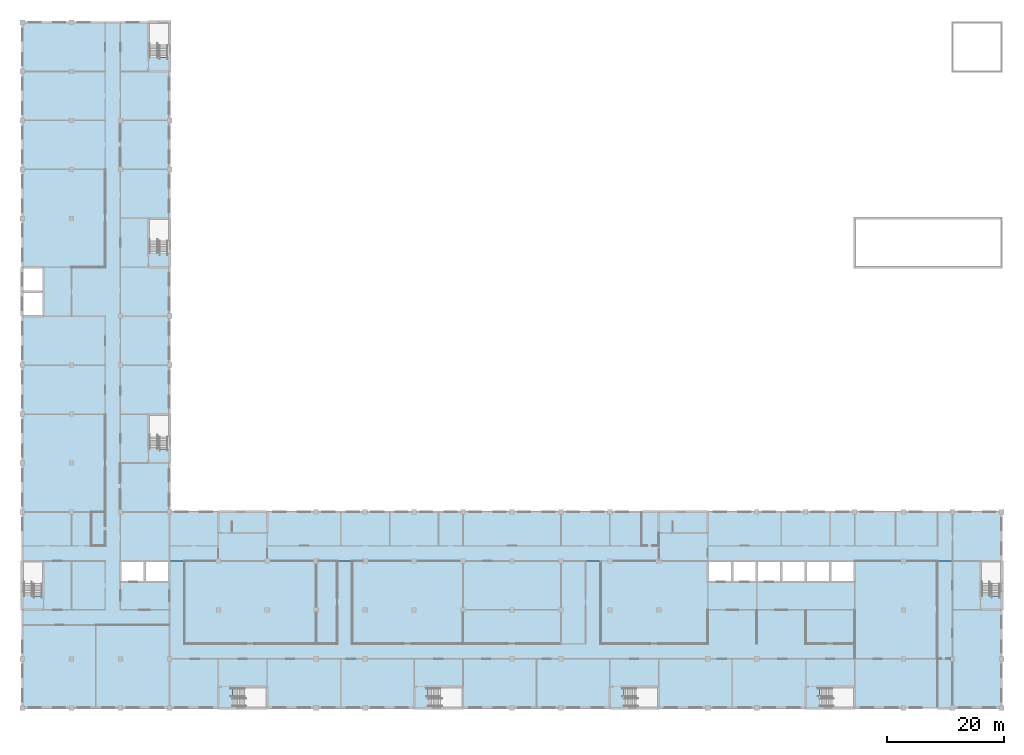
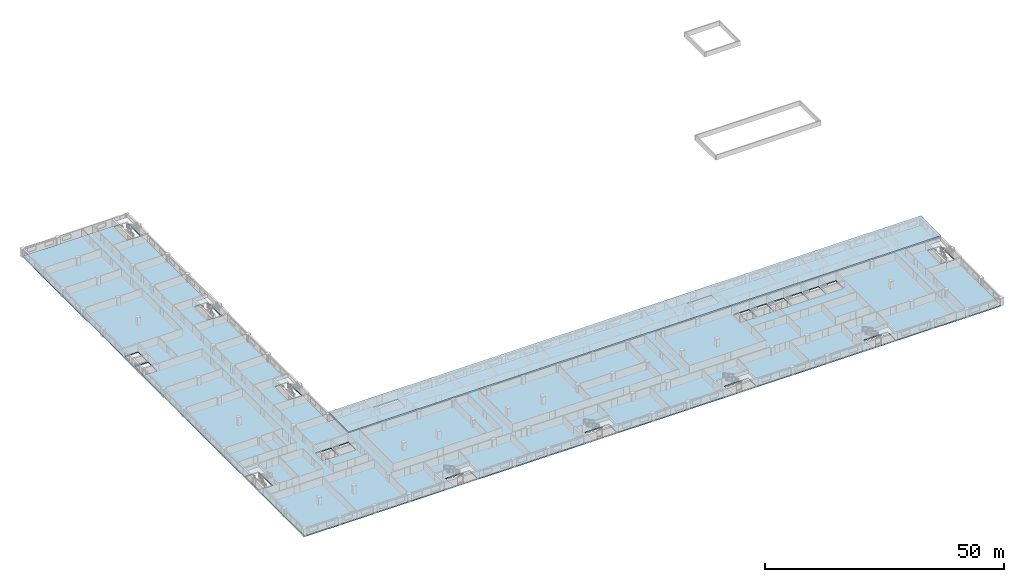
# One storey, part 25 of 48: 2 slabs.
"""IFC4 building model written with IfcOpenShell, lengths in metres."""

from ifc_helpers import new_model, si_unit, direction, frame, origin, place, context, subcontext, project, spatial, polyline, outline, extrude, material, layer, layer_set, type_object, element, save


model = new_model("IFC4")

# Units and contexts
model_context = context("Model", 3, precision=1e-05, world=origin(), true_north=direction((0.0, 1.0)))
body_context = subcontext(model_context, "Body", "Model", "MODEL_VIEW")
ifc_project = project(units=[si_unit("LENGTHUNIT", "METRE"), si_unit("AREAUNIT", "SQUARE_METRE"), si_unit("VOLUMEUNIT", "CUBIC_METRE"), si_unit("PLANEANGLEUNIT", "RADIAN"), si_unit("MASSUNIT", "GRAM", prefix="KILO")], contexts=[model_context])

# Site, building, storey
site_placement = place(None, origin())
site = spatial("IfcSite", under=ifc_project, at=site_placement, CompositionType="ELEMENT")
building_placement = place(site_placement, origin())
building = spatial("IfcBuilding", under=site, at=building_placement, Name="Yavir Park General Hospital", CompositionType="ELEMENT")
storey_placement = place(building_placement, frame((0.0, 0.0, 12.89990234375)))
storey = spatial("IfcBuildingStorey", under=building, at=storey_placement, Name="I02", CompositionType="ELEMENT", Elevation=12.89990234375)

# Slabs
ifc_material_1 = material(Name="Concrete C35/45", Category="concrete")
ifc_layer_1 = layer(ifc_material_1, 0.300048828125)
ifc_layer_set_1 = layer_set([ifc_layer_1], Name="Concrete C35/45")
slab_type_1 = type_object("IfcSlabType", Name="RC SLAB FLOOR 300", PredefinedType="FLOOR", material=ifc_layer_set_1)
slab_1_placement = place(storey_placement, frame((0.0, 0.0, -0.300048828125)))
element("IfcSlab", 1, at=slab_1_placement, inside=storey, type_object=slab_type_1, Name="S:I02:0", PredefinedType="FLOOR", context=body_context, shape_type="SweptSolid", body=[
    extrude(outline(polyline([(168.0, 33.60009765625), (25.199951171875, 33.60009765625), (25.199951171875, 117.60009765625), (0.0, 117.60009765625), (0.0, 0.0), (168.0, 0.0), (168.0, 33.60009765625)]), holes=[polyline([(17.0, 25.0), (20.800048828125, 25.0), (20.800048828125, 21.800048828125), (17.0, 21.800048828125), (17.0, 25.0)]), polyline([(21.199951171875, 25.0), (25.0, 25.0), (25.0, 21.800048828125), (21.199951171875, 21.800048828125), (21.199951171875, 25.0)]), polyline([(0.199951171875, 67.39990234375), (0.199951171875, 71.199951171875), (3.39990234375, 71.199951171875), (3.39990234375, 67.39990234375), (0.199951171875, 67.39990234375)]), polyline([(0.199951171875, 75.39990234375), (3.39990234375, 75.39990234375), (3.39990234375, 71.60009765625), (0.199951171875, 71.60009765625), (0.199951171875, 75.39990234375)]), polyline([(117.800048828125, 25.0), (121.60009765625, 25.0), (121.60009765625, 21.800048828125), (117.800048828125, 21.800048828125), (117.800048828125, 25.0)]), polyline([(122.0, 21.800048828125), (122.0, 25.0), (125.800048828125, 25.0), (125.800048828125, 21.800048828125), (122.0, 21.800048828125)]), polyline([(126.199951171875, 25.0), (130.0, 25.0), (130.0, 21.800048828125), (126.199951171875, 21.800048828125), (126.199951171875, 25.0)]), polyline([(130.39990234375, 25.0), (134.199951171875, 25.0), (134.199951171875, 21.800048828125), (130.39990234375, 21.800048828125), (130.39990234375, 25.0)]), polyline([(134.60009765625, 21.800048828125), (134.60009765625, 25.0), (138.39990234375, 25.0), (138.39990234375, 21.800048828125), (134.60009765625, 21.800048828125)]), polyline([(138.800048828125, 25.0), (142.60009765625, 25.0), (142.60009765625, 21.800048828125), (138.800048828125, 21.800048828125), (138.800048828125, 25.0)]), polyline([(3.39990234375, 19.201416015625), (1.64990234375, 19.201416015625), (1.64990234375, 19.3515625), (0.14990234375, 19.3515625), (0.14990234375, 25.0), (3.39990234375, 25.0), (3.39990234375, 19.201416015625)]), polyline([(41.800048828125, 0.14990234375), (36.151611328125, 0.14990234375), (36.151611328125, 1.64990234375), (36.00146484375, 1.64990234375), (36.00146484375, 3.39990234375), (41.800048828125, 3.39990234375), (41.800048828125, 0.14990234375)]), polyline([(69.75146484375, 1.64990234375), (69.6015625, 1.64990234375), (69.6015625, 3.39990234375), (75.39990234375, 3.39990234375), (75.39990234375, 0.14990234375), (69.75146484375, 0.14990234375), (69.75146484375, 1.64990234375)]), polyline([(103.201416015625, 3.39990234375), (109.0, 3.39990234375), (109.0, 0.14990234375), (103.3515625, 0.14990234375), (103.3515625, 1.64990234375), (103.201416015625, 1.64990234375), (103.201416015625, 3.39990234375)]), polyline([(142.60009765625, 0.14990234375), (136.951416015625, 0.14990234375), (136.951416015625, 1.64990234375), (136.801513671875, 1.64990234375), (136.801513671875, 3.39990234375), (142.60009765625, 3.39990234375), (142.60009765625, 0.14990234375)]), polyline([(164.60009765625, 25.0), (167.85009765625, 25.0), (167.85009765625, 19.201416015625), (166.0, 19.201416015625), (166.0, 19.3515625), (164.60009765625, 19.3515625), (164.60009765625, 25.0)]), polyline([(36.00146484375, 33.449951171875), (41.800048828125, 33.449951171875), (41.800048828125, 30.199951171875), (36.151611328125, 30.199951171875), (36.151611328125, 31.60009765625), (36.00146484375, 31.60009765625), (36.00146484375, 33.449951171875)]), polyline([(117.39990234375, 30.199951171875), (111.75146484375, 30.199951171875), (111.75146484375, 31.60009765625), (111.6015625, 31.60009765625), (111.6015625, 33.449951171875), (117.39990234375, 33.449951171875), (117.39990234375, 30.199951171875)]), polyline([(21.800048828125, 50.199951171875), (25.050048828125, 50.199951171875), (25.050048828125, 44.401611328125), (23.199951171875, 44.401611328125), (23.199951171875, 44.551513671875), (21.800048828125, 44.551513671875), (21.800048828125, 50.199951171875)]), polyline([(25.050048828125, 78.00146484375), (23.199951171875, 78.00146484375), (23.199951171875, 78.151611328125), (21.800048828125, 78.151611328125), (21.800048828125, 83.800048828125), (25.050048828125, 83.800048828125), (25.050048828125, 78.00146484375)]), polyline([(23.199951171875, 111.75146484375), (21.800048828125, 111.75146484375), (21.800048828125, 117.449951171875), (25.050048828125, 117.449951171875), (25.050048828125, 111.6015625), (23.199951171875, 111.6015625), (23.199951171875, 111.75146484375)])]), origin(), (0.0, 0.0, 1.0), 0.300048828125),
])
ifc_material_2 = material(Name="Concrete C35/45", Category="concrete")
ifc_layer_2 = layer(ifc_material_2, 0.360107421875)
ifc_layer_set_2 = layer_set([ifc_layer_2], Name="Concrete C35/45")
slab_type_2 = type_object("IfcSlabType", Name="RC SLAB ROOF 360", PredefinedType="ROOF", material=ifc_layer_set_2)
slab_2_placement = place(storey_placement, frame((0.0, 0.0, 2.0400390625)))
element("IfcSlab", 2, at=slab_2_placement, inside=storey, type_object=slab_type_2, Name="RF:I02:0", PredefinedType="ROOF", context=body_context, shape_type="SweptSolid", body=[
    extrude(outline(polyline([(168.0, 25.199951171875), (168.0, 33.60009765625), (25.199951171875, 33.60009765625), (25.199951171875, 25.199951171875), (168.0, 25.199951171875)])), origin(), (0.0, 0.0, 1.0), 0.360107421875),
])

save(model, "model.ifc")
